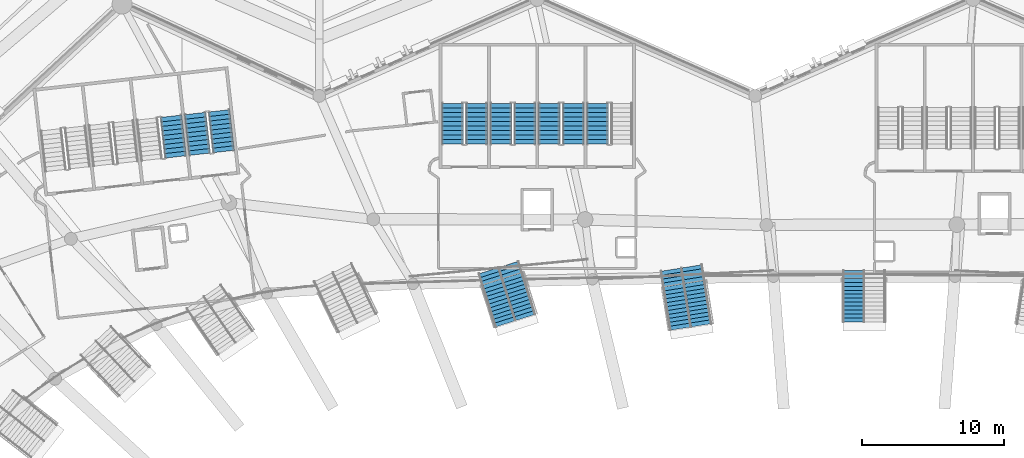
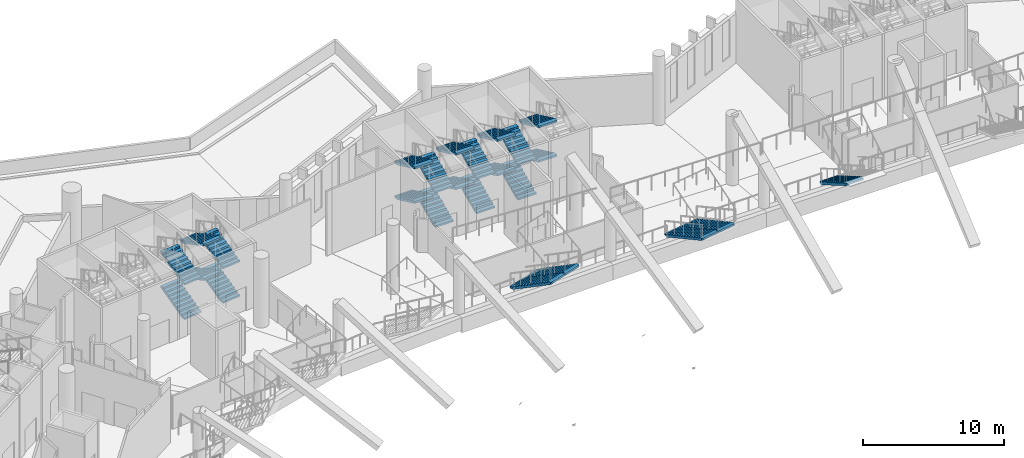
# One storey, part 96 of 173: 25 stair flights, 9 elements without a shape of their own.
"""IFC4 building model written with IfcOpenShell, lengths in metres."""

from ifc_helpers import new_model, si_unit, direction, frame, origin, place, context, subcontext, project, spatial, polyline, outline, extrude, material, type_object, element, aggregate, save


model = new_model("IFC4")

# Units and contexts
model_context = context("Model", 3, precision=1e-05, world=origin(), true_north=direction((0.0, 1.0)))
body_context = subcontext(model_context, "Body", "Model", "MODEL_VIEW")
ifc_project = project(units=[si_unit("LENGTHUNIT", "METRE"), si_unit("AREAUNIT", "SQUARE_METRE"), si_unit("VOLUMEUNIT", "CUBIC_METRE"), si_unit("PLANEANGLEUNIT", "RADIAN"), si_unit("MASSUNIT", "GRAM", prefix="KILO")], contexts=[model_context])

# Site, building, storey
site_placement = place(None, origin())
site = spatial("IfcSite", under=ifc_project, at=site_placement, CompositionType="ELEMENT")
building_placement = place(site_placement, origin())
building = spatial("IfcBuilding", under=site, at=building_placement, Name="Meseta Stadium", CompositionType="ELEMENT")
storey_placement = place(building_placement, frame((0.0, 0.0, 18.0)))
storey = spatial("IfcBuildingStorey", under=building, at=storey_placement, Name="L03", CompositionType="ELEMENT", Elevation=18.0)

# Stair, stair flights
ifc_material_1 = material(Name="Concrete C40/50", Category="concrete")
stair_type_1 = type_object("IfcStairType", Name="Exit stair 4 flights 150 mm risers", PredefinedType="HALF_TURN_STAIR", material=ifc_material_1)
stair_1_placement = place(storey_placement, origin())
stair_1 = element("IfcStair", 1, at=stair_1_placement, inside=storey, type_object=stair_type_1, Name="ST41 L03", PredefinedType="HALF_TURN_STAIR")
ifc_material_2 = material(Name="Concrete C40/50", Category="concrete")
stair_flight_type_1 = type_object("IfcStairFlightType", Name="Exit stair flight 150 mm risers, 4 per storey", PredefinedType="STRAIGHT", material=ifc_material_2)
stair_flight_1_placement = place(storey_placement, frame((-18.75, 98.080078125, 1.5), z_axis=(0.0, 0.0, 1.0), x_axis=(0.0, -1.0, 0.0)))
stair_flight_1 = element("IfcStairFlight", 2, at=stair_flight_1_placement, type_object=stair_flight_type_1, Name="ST41 L03 flight 2", NumberOfRisers=10, NumberOfTreads=9, PredefinedType="STRAIGHT", RiserHeight=0.15, TreadLength=0.32, context=body_context, shape_type="SweptSolid", body=[
    extrude(outline(polyline([(0.0, 0.0), (0.0, 0.14990234375), (0.320068359375, 0.14990234375), (0.320068359375, 0.300048828125), (0.639892578125, 0.300048828125), (0.639892578125, 0.449951171875), (0.9599609375, 0.449951171875), (0.9599609375, 0.60009765625), (1.280029296875, 0.60009765625), (1.280029296875, 0.75), (1.60009765625, 0.75), (1.60009765625, 0.89990234375), (1.919921875, 0.89990234375), (1.919921875, 1.050048828125), (2.239990234375, 1.050048828125), (2.239990234375, 1.199951171875), (2.56005859375, 1.199951171875), (2.56005859375, 1.35009765625), (2.8798828125, 1.35009765625), (2.8798828125, 1.184326171875), (0.353271484375, 0.0), (0.0, 0.0)])), frame((0.0, 0.75, 0.0), z_axis=(0.0, -1.0, 0.0), x_axis=(1.0, 0.0, 0.0)), (0.0, 0.0, 1.0), 1.5),
])
stair_flight_2_placement = place(storey_placement, frame((-18.75, 98.080078125, 4.5), z_axis=(0.0, 0.0, 1.0), x_axis=(0.0, -1.0, 0.0)))
stair_flight_2 = element("IfcStairFlight", 3, at=stair_flight_2_placement, type_object=stair_flight_type_1, Name="ST41 L03 flight 4", NumberOfRisers=10, NumberOfTreads=9, PredefinedType="STRAIGHT", RiserHeight=0.15, TreadLength=0.32, context=body_context, shape_type="SweptSolid", body=[
    extrude(outline(polyline([(0.0, 0.0), (0.0, 0.14990234375), (0.320068359375, 0.14990234375), (0.320068359375, 0.300048828125), (0.639892578125, 0.300048828125), (0.639892578125, 0.449951171875), (0.9599609375, 0.449951171875), (0.9599609375, 0.60009765625), (1.280029296875, 0.60009765625), (1.280029296875, 0.75), (1.60009765625, 0.75), (1.60009765625, 0.89990234375), (1.919921875, 0.89990234375), (1.919921875, 1.050048828125), (2.239990234375, 1.050048828125), (2.239990234375, 1.199951171875), (2.56005859375, 1.199951171875), (2.56005859375, 1.35009765625), (2.8798828125, 1.35009765625), (2.8798828125, 1.184326171875), (0.353271484375, 0.0), (0.0, 0.0)])), frame((0.0, 0.75, 0.0), z_axis=(0.0, -1.0, 0.0), x_axis=(1.0, 0.0, 0.0)), (0.0, 0.0, 1.0), 1.5),
])
aggregate(stair_1, [stair_flight_1, stair_flight_2])

stair_2_placement = place(storey_placement, origin())
stair_2 = element("IfcStair", 4, at=stair_2_placement, inside=storey, type_object=stair_type_1, Name="ST42 L03", PredefinedType="HALF_TURN_STAIR")
stair_flight_3_placement = place(storey_placement, frame((-20.449951171875, 95.199951171875, 0.0), z_axis=(0.0, 0.0, 1.0), x_axis=(0.0, 1.0, 0.0)))
stair_flight_3 = element("IfcStairFlight", 5, at=stair_flight_3_placement, type_object=stair_flight_type_1, Name="ST42 L03 flight 1", NumberOfRisers=10, NumberOfTreads=9, PredefinedType="STRAIGHT", RiserHeight=0.15, TreadLength=0.32, context=body_context, shape_type="SweptSolid", body=[
    extrude(outline(polyline([(0.0, 0.0), (0.0, 0.14990234375), (0.320068359375, 0.14990234375), (0.320068359375, 0.300048828125), (0.639892578125, 0.300048828125), (0.639892578125, 0.449951171875), (0.9599609375, 0.449951171875), (0.9599609375, 0.60009765625), (1.280029296875, 0.60009765625), (1.280029296875, 0.75), (1.60009765625, 0.75), (1.60009765625, 0.89990234375), (1.919921875, 0.89990234375), (1.919921875, 1.050048828125), (2.239990234375, 1.050048828125), (2.239990234375, 1.199951171875), (2.56005859375, 1.199951171875), (2.56005859375, 1.35009765625), (2.8798828125, 1.35009765625), (2.8798828125, 1.184326171875), (0.353271484375, 0.0), (0.0, 0.0)])), frame((0.0, 0.75, 0.0), z_axis=(0.0, -1.0, 0.0), x_axis=(1.0, 0.0, 0.0)), (0.0, 0.0, 1.0), 1.5),
])
stair_flight_4_placement = place(storey_placement, frame((-22.14990234375, 98.080078125, 1.5), z_axis=(0.0, 0.0, 1.0), x_axis=(0.0, -1.0, 0.0)))
stair_flight_4 = element("IfcStairFlight", 6, at=stair_flight_4_placement, type_object=stair_flight_type_1, Name="ST42 L03 flight 2", NumberOfRisers=10, NumberOfTreads=9, PredefinedType="STRAIGHT", RiserHeight=0.15, TreadLength=0.32, context=body_context, shape_type="SweptSolid", body=[
    extrude(outline(polyline([(0.0, 0.0), (0.0, 0.14990234375), (0.320068359375, 0.14990234375), (0.320068359375, 0.300048828125), (0.639892578125, 0.300048828125), (0.639892578125, 0.449951171875), (0.9599609375, 0.449951171875), (0.9599609375, 0.60009765625), (1.280029296875, 0.60009765625), (1.280029296875, 0.75), (1.60009765625, 0.75), (1.60009765625, 0.89990234375), (1.919921875, 0.89990234375), (1.919921875, 1.050048828125), (2.239990234375, 1.050048828125), (2.239990234375, 1.199951171875), (2.56005859375, 1.199951171875), (2.56005859375, 1.35009765625), (2.8798828125, 1.35009765625), (2.8798828125, 1.184326171875), (0.353271484375, 0.0), (0.0, 0.0)])), frame((0.0, 0.75, 0.0), z_axis=(0.0, -1.0, 0.0), x_axis=(1.0, 0.0, 0.0)), (0.0, 0.0, 1.0), 1.5),
])
stair_flight_5_placement = place(storey_placement, frame((-20.449951171875, 95.199951171875, 3.0), z_axis=(0.0, 0.0, 1.0), x_axis=(0.0, 1.0, 0.0)))
stair_flight_5 = element("IfcStairFlight", 7, at=stair_flight_5_placement, type_object=stair_flight_type_1, Name="ST42 L03 flight 3", NumberOfRisers=10, NumberOfTreads=9, PredefinedType="STRAIGHT", RiserHeight=0.15, TreadLength=0.32, context=body_context, shape_type="SweptSolid", body=[
    extrude(outline(polyline([(0.0, 0.0), (0.0, 0.14990234375), (0.320068359375, 0.14990234375), (0.320068359375, 0.300048828125), (0.639892578125, 0.300048828125), (0.639892578125, 0.449951171875), (0.9599609375, 0.449951171875), (0.9599609375, 0.60009765625), (1.280029296875, 0.60009765625), (1.280029296875, 0.75), (1.60009765625, 0.75), (1.60009765625, 0.89990234375), (1.919921875, 0.89990234375), (1.919921875, 1.050048828125), (2.239990234375, 1.050048828125), (2.239990234375, 1.199951171875), (2.56005859375, 1.199951171875), (2.56005859375, 1.35009765625), (2.8798828125, 1.35009765625), (2.8798828125, 1.184326171875), (0.353271484375, 0.0), (0.0, 0.0)])), frame((0.0, 0.75, 0.0), z_axis=(0.0, -1.0, 0.0), x_axis=(1.0, 0.0, 0.0)), (0.0, 0.0, 1.0), 1.5),
])
stair_flight_6_placement = place(storey_placement, frame((-22.14990234375, 98.080078125, 4.5), z_axis=(0.0, 0.0, 1.0), x_axis=(0.0, -1.0, 0.0)))
stair_flight_6 = element("IfcStairFlight", 8, at=stair_flight_6_placement, type_object=stair_flight_type_1, Name="ST42 L03 flight 4", NumberOfRisers=10, NumberOfTreads=9, PredefinedType="STRAIGHT", RiserHeight=0.15, TreadLength=0.32, context=body_context, shape_type="SweptSolid", body=[
    extrude(outline(polyline([(0.0, 0.0), (0.0, 0.14990234375), (0.320068359375, 0.14990234375), (0.320068359375, 0.300048828125), (0.639892578125, 0.300048828125), (0.639892578125, 0.449951171875), (0.9599609375, 0.449951171875), (0.9599609375, 0.60009765625), (1.280029296875, 0.60009765625), (1.280029296875, 0.75), (1.60009765625, 0.75), (1.60009765625, 0.89990234375), (1.919921875, 0.89990234375), (1.919921875, 1.050048828125), (2.239990234375, 1.050048828125), (2.239990234375, 1.199951171875), (2.56005859375, 1.199951171875), (2.56005859375, 1.35009765625), (2.8798828125, 1.35009765625), (2.8798828125, 1.184326171875), (0.353271484375, 0.0), (0.0, 0.0)])), frame((0.0, 0.75, 0.0), z_axis=(0.0, -1.0, 0.0), x_axis=(1.0, 0.0, 0.0)), (0.0, 0.0, 1.0), 1.5),
])
aggregate(stair_2, [stair_flight_3, stair_flight_4, stair_flight_5, stair_flight_6])

stair_3_placement = place(storey_placement, origin())
stair_3 = element("IfcStair", 9, at=stair_3_placement, inside=storey, type_object=stair_type_1, Name="ST43 L03", PredefinedType="HALF_TURN_STAIR")
stair_flight_7_placement = place(storey_placement, frame((-23.85009765625, 95.199951171875, 0.0), z_axis=(0.0, 0.0, 1.0), x_axis=(0.0, 1.0, 0.0)))
stair_flight_7 = element("IfcStairFlight", 10, at=stair_flight_7_placement, type_object=stair_flight_type_1, Name="ST43 L03 flight 1", NumberOfRisers=10, NumberOfTreads=9, PredefinedType="STRAIGHT", RiserHeight=0.15, TreadLength=0.32, context=body_context, shape_type="SweptSolid", body=[
    extrude(outline(polyline([(0.0, 0.0), (0.0, 0.14990234375), (0.320068359375, 0.14990234375), (0.320068359375, 0.300048828125), (0.639892578125, 0.300048828125), (0.639892578125, 0.449951171875), (0.9599609375, 0.449951171875), (0.9599609375, 0.60009765625), (1.280029296875, 0.60009765625), (1.280029296875, 0.75), (1.60009765625, 0.75), (1.60009765625, 0.89990234375), (1.919921875, 0.89990234375), (1.919921875, 1.050048828125), (2.239990234375, 1.050048828125), (2.239990234375, 1.199951171875), (2.56005859375, 1.199951171875), (2.56005859375, 1.35009765625), (2.8798828125, 1.35009765625), (2.8798828125, 1.184326171875), (0.353271484375, 0.0), (0.0, 0.0)])), frame((0.0, 0.75, 0.0), z_axis=(0.0, -1.0, 0.0), x_axis=(1.0, 0.0, 0.0)), (0.0, 0.0, 1.0), 1.5),
])
stair_flight_8_placement = place(storey_placement, frame((-25.550048828125, 98.080078125, 1.5), z_axis=(0.0, 0.0, 1.0), x_axis=(0.0, -1.0, 0.0)))
stair_flight_8 = element("IfcStairFlight", 11, at=stair_flight_8_placement, type_object=stair_flight_type_1, Name="ST43 L03 flight 2", NumberOfRisers=10, NumberOfTreads=9, PredefinedType="STRAIGHT", RiserHeight=0.15, TreadLength=0.32, context=body_context, shape_type="SweptSolid", body=[
    extrude(outline(polyline([(0.0, 0.0), (0.0, 0.14990234375), (0.320068359375, 0.14990234375), (0.320068359375, 0.300048828125), (0.639892578125, 0.300048828125), (0.639892578125, 0.449951171875), (0.9599609375, 0.449951171875), (0.9599609375, 0.60009765625), (1.280029296875, 0.60009765625), (1.280029296875, 0.75), (1.60009765625, 0.75), (1.60009765625, 0.89990234375), (1.919921875, 0.89990234375), (1.919921875, 1.050048828125), (2.239990234375, 1.050048828125), (2.239990234375, 1.199951171875), (2.56005859375, 1.199951171875), (2.56005859375, 1.35009765625), (2.8798828125, 1.35009765625), (2.8798828125, 1.184326171875), (0.353271484375, 0.0), (0.0, 0.0)])), frame((0.0, 0.75, 0.0), z_axis=(0.0, -1.0, 0.0), x_axis=(1.0, 0.0, 0.0)), (0.0, 0.0, 1.0), 1.5),
])
stair_flight_9_placement = place(storey_placement, frame((-23.85009765625, 95.199951171875, 3.0), z_axis=(0.0, 0.0, 1.0), x_axis=(0.0, 1.0, 0.0)))
stair_flight_9 = element("IfcStairFlight", 12, at=stair_flight_9_placement, type_object=stair_flight_type_1, Name="ST43 L03 flight 3", NumberOfRisers=10, NumberOfTreads=9, PredefinedType="STRAIGHT", RiserHeight=0.15, TreadLength=0.32, context=body_context, shape_type="SweptSolid", body=[
    extrude(outline(polyline([(0.0, 0.0), (0.0, 0.14990234375), (0.320068359375, 0.14990234375), (0.320068359375, 0.300048828125), (0.639892578125, 0.300048828125), (0.639892578125, 0.449951171875), (0.9599609375, 0.449951171875), (0.9599609375, 0.60009765625), (1.280029296875, 0.60009765625), (1.280029296875, 0.75), (1.60009765625, 0.75), (1.60009765625, 0.89990234375), (1.919921875, 0.89990234375), (1.919921875, 1.050048828125), (2.239990234375, 1.050048828125), (2.239990234375, 1.199951171875), (2.56005859375, 1.199951171875), (2.56005859375, 1.35009765625), (2.8798828125, 1.35009765625), (2.8798828125, 1.184326171875), (0.353271484375, 0.0), (0.0, 0.0)])), frame((0.0, 0.75, 0.0), z_axis=(0.0, -1.0, 0.0), x_axis=(1.0, 0.0, 0.0)), (0.0, 0.0, 1.0), 1.5),
])
stair_flight_10_placement = place(storey_placement, frame((-25.550048828125, 98.080078125, 4.5), z_axis=(0.0, 0.0, 1.0), x_axis=(0.0, -1.0, 0.0)))
stair_flight_10 = element("IfcStairFlight", 13, at=stair_flight_10_placement, type_object=stair_flight_type_1, Name="ST43 L03 flight 4", NumberOfRisers=10, NumberOfTreads=9, PredefinedType="STRAIGHT", RiserHeight=0.15, TreadLength=0.32, context=body_context, shape_type="SweptSolid", body=[
    extrude(outline(polyline([(0.0, 0.0), (0.0, 0.14990234375), (0.320068359375, 0.14990234375), (0.320068359375, 0.300048828125), (0.639892578125, 0.300048828125), (0.639892578125, 0.449951171875), (0.9599609375, 0.449951171875), (0.9599609375, 0.60009765625), (1.280029296875, 0.60009765625), (1.280029296875, 0.75), (1.60009765625, 0.75), (1.60009765625, 0.89990234375), (1.919921875, 0.89990234375), (1.919921875, 1.050048828125), (2.239990234375, 1.050048828125), (2.239990234375, 1.199951171875), (2.56005859375, 1.199951171875), (2.56005859375, 1.35009765625), (2.8798828125, 1.35009765625), (2.8798828125, 1.184326171875), (0.353271484375, 0.0), (0.0, 0.0)])), frame((0.0, 0.75, 0.0), z_axis=(0.0, -1.0, 0.0), x_axis=(1.0, 0.0, 0.0)), (0.0, 0.0, 1.0), 1.5),
])
aggregate(stair_3, [stair_flight_7, stair_flight_8, stair_flight_9, stair_flight_10])

stair_4_placement = place(storey_placement, origin())
stair_4 = element("IfcStair", 14, at=stair_4_placement, inside=storey, type_object=stair_type_1, Name="ST44 L03", PredefinedType="HALF_TURN_STAIR")
stair_flight_11_placement = place(storey_placement, frame((-27.25, 95.199951171875, 0.0), z_axis=(0.0, 0.0, 1.0), x_axis=(0.0, 1.0, 0.0)))
stair_flight_11 = element("IfcStairFlight", 15, at=stair_flight_11_placement, type_object=stair_flight_type_1, Name="ST44 L03 flight 1", NumberOfRisers=10, NumberOfTreads=9, PredefinedType="STRAIGHT", RiserHeight=0.15, TreadLength=0.32, context=body_context, shape_type="SweptSolid", body=[
    extrude(outline(polyline([(0.0, 0.0), (0.0, 0.14990234375), (0.320068359375, 0.14990234375), (0.320068359375, 0.300048828125), (0.639892578125, 0.300048828125), (0.639892578125, 0.449951171875), (0.9599609375, 0.449951171875), (0.9599609375, 0.60009765625), (1.280029296875, 0.60009765625), (1.280029296875, 0.75), (1.60009765625, 0.75), (1.60009765625, 0.89990234375), (1.919921875, 0.89990234375), (1.919921875, 1.050048828125), (2.239990234375, 1.050048828125), (2.239990234375, 1.199951171875), (2.56005859375, 1.199951171875), (2.56005859375, 1.35009765625), (2.8798828125, 1.35009765625), (2.8798828125, 1.184326171875), (0.353271484375, 0.0), (0.0, 0.0)])), frame((0.0, 0.75, 0.0), z_axis=(0.0, -1.0, 0.0), x_axis=(1.0, 0.0, 0.0)), (0.0, 0.0, 1.0), 1.5),
])
stair_flight_12_placement = place(storey_placement, frame((-28.949951171875, 98.080078125, 1.5), z_axis=(0.0, 0.0, 1.0), x_axis=(0.0, -1.0, 0.0)))
stair_flight_12 = element("IfcStairFlight", 16, at=stair_flight_12_placement, type_object=stair_flight_type_1, Name="ST44 L03 flight 2", NumberOfRisers=10, NumberOfTreads=9, PredefinedType="STRAIGHT", RiserHeight=0.15, TreadLength=0.32, context=body_context, shape_type="SweptSolid", body=[
    extrude(outline(polyline([(0.0, 0.0), (0.0, 0.14990234375), (0.320068359375, 0.14990234375), (0.320068359375, 0.300048828125), (0.639892578125, 0.300048828125), (0.639892578125, 0.449951171875), (0.9599609375, 0.449951171875), (0.9599609375, 0.60009765625), (1.280029296875, 0.60009765625), (1.280029296875, 0.75), (1.60009765625, 0.75), (1.60009765625, 0.89990234375), (1.919921875, 0.89990234375), (1.919921875, 1.050048828125), (2.239990234375, 1.050048828125), (2.239990234375, 1.199951171875), (2.56005859375, 1.199951171875), (2.56005859375, 1.35009765625), (2.8798828125, 1.35009765625), (2.8798828125, 1.184326171875), (0.353271484375, 0.0), (0.0, 0.0)])), frame((0.0, 0.75, 0.0), z_axis=(0.0, -1.0, 0.0), x_axis=(1.0, 0.0, 0.0)), (0.0, 0.0, 1.0), 1.5),
])
stair_flight_13_placement = place(storey_placement, frame((-27.25, 95.199951171875, 3.0), z_axis=(0.0, 0.0, 1.0), x_axis=(0.0, 1.0, 0.0)))
stair_flight_13 = element("IfcStairFlight", 17, at=stair_flight_13_placement, type_object=stair_flight_type_1, Name="ST44 L03 flight 3", NumberOfRisers=10, NumberOfTreads=9, PredefinedType="STRAIGHT", RiserHeight=0.15, TreadLength=0.32, context=body_context, shape_type="SweptSolid", body=[
    extrude(outline(polyline([(0.0, 0.0), (0.0, 0.14990234375), (0.320068359375, 0.14990234375), (0.320068359375, 0.300048828125), (0.639892578125, 0.300048828125), (0.639892578125, 0.449951171875), (0.9599609375, 0.449951171875), (0.9599609375, 0.60009765625), (1.280029296875, 0.60009765625), (1.280029296875, 0.75), (1.60009765625, 0.75), (1.60009765625, 0.89990234375), (1.919921875, 0.89990234375), (1.919921875, 1.050048828125), (2.239990234375, 1.050048828125), (2.239990234375, 1.199951171875), (2.56005859375, 1.199951171875), (2.56005859375, 1.35009765625), (2.8798828125, 1.35009765625), (2.8798828125, 1.184326171875), (0.353271484375, 0.0), (0.0, 0.0)])), frame((0.0, 0.75, 0.0), z_axis=(0.0, -1.0, 0.0), x_axis=(1.0, 0.0, 0.0)), (0.0, 0.0, 1.0), 1.5),
])
stair_flight_14_placement = place(storey_placement, frame((-28.949951171875, 98.080078125, 4.5), z_axis=(0.0, 0.0, 1.0), x_axis=(0.0, -1.0, 0.0)))
stair_flight_14 = element("IfcStairFlight", 18, at=stair_flight_14_placement, type_object=stair_flight_type_1, Name="ST44 L03 flight 4", NumberOfRisers=10, NumberOfTreads=9, PredefinedType="STRAIGHT", RiserHeight=0.15, TreadLength=0.32, context=body_context, shape_type="SweptSolid", body=[
    extrude(outline(polyline([(0.0, 0.0), (0.0, 0.14990234375), (0.320068359375, 0.14990234375), (0.320068359375, 0.300048828125), (0.639892578125, 0.300048828125), (0.639892578125, 0.449951171875), (0.9599609375, 0.449951171875), (0.9599609375, 0.60009765625), (1.280029296875, 0.60009765625), (1.280029296875, 0.75), (1.60009765625, 0.75), (1.60009765625, 0.89990234375), (1.919921875, 0.89990234375), (1.919921875, 1.050048828125), (2.239990234375, 1.050048828125), (2.239990234375, 1.199951171875), (2.56005859375, 1.199951171875), (2.56005859375, 1.35009765625), (2.8798828125, 1.35009765625), (2.8798828125, 1.184326171875), (0.353271484375, 0.0), (0.0, 0.0)])), frame((0.0, 0.75, 0.0), z_axis=(0.0, -1.0, 0.0), x_axis=(1.0, 0.0, 0.0)), (0.0, 0.0, 1.0), 1.5),
])
aggregate(stair_4, [stair_flight_11, stair_flight_12, stair_flight_13, stair_flight_14])

stair_5_placement = place(storey_placement, origin())
stair_5 = element("IfcStair", 19, at=stair_5_placement, inside=storey, type_object=stair_type_1, Name="ST45 L03", PredefinedType="HALF_TURN_STAIR")
stair_flight_15_placement = place(storey_placement, frame((-45.04736328125, 94.687744140625, 0.0), z_axis=(0.0, 0.0, 1.0), x_axis=(-0.11196446867, 0.993712210731, 0.0)))
stair_flight_15 = element("IfcStairFlight", 20, at=stair_flight_15_placement, type_object=stair_flight_type_1, Name="ST45 L03 flight 1", NumberOfRisers=10, NumberOfTreads=9, PredefinedType="STRAIGHT", RiserHeight=0.15, TreadLength=0.32, context=body_context, shape_type="SweptSolid", body=[
    extrude(outline(polyline([(0.0, 0.0), (0.0, 0.14990234375), (0.320068359375, 0.14990234375), (0.320068359375, 0.300048828125), (0.639892578125, 0.300048828125), (0.639892578125, 0.449951171875), (0.9599609375, 0.449951171875), (0.9599609375, 0.60009765625), (1.280029296875, 0.60009765625), (1.280029296875, 0.75), (1.60009765625, 0.75), (1.60009765625, 0.89990234375), (1.919921875, 0.89990234375), (1.919921875, 1.050048828125), (2.239990234375, 1.050048828125), (2.239990234375, 1.199951171875), (2.56005859375, 1.199951171875), (2.56005859375, 1.35009765625), (2.8798828125, 1.35009765625), (2.8798828125, 1.184326171875), (0.353271484375, 0.0), (0.0, 0.0)])), frame((0.0, 0.75, 0.0), z_axis=(0.0, -1.0, 0.0), x_axis=(1.0, 0.0, 0.0)), (0.0, 0.0, 1.0), 1.5),
])
stair_flight_16_placement = place(storey_placement, frame((-47.059326171875, 97.359130859375, 1.5), z_axis=(0.0, 0.0, 1.0), x_axis=(0.11196446867, -0.993712210731, 0.0)))
stair_flight_16 = element("IfcStairFlight", 21, at=stair_flight_16_placement, type_object=stair_flight_type_1, Name="ST45 L03 flight 2", NumberOfRisers=10, NumberOfTreads=9, PredefinedType="STRAIGHT", RiserHeight=0.15, TreadLength=0.32, context=body_context, shape_type="SweptSolid", body=[
    extrude(outline(polyline([(0.0, 0.0), (0.0, 0.14990234375), (0.320068359375, 0.14990234375), (0.320068359375, 0.300048828125), (0.639892578125, 0.300048828125), (0.639892578125, 0.449951171875), (0.9599609375, 0.449951171875), (0.9599609375, 0.60009765625), (1.280029296875, 0.60009765625), (1.280029296875, 0.75), (1.60009765625, 0.75), (1.60009765625, 0.89990234375), (1.919921875, 0.89990234375), (1.919921875, 1.050048828125), (2.239990234375, 1.050048828125), (2.239990234375, 1.199951171875), (2.56005859375, 1.199951171875), (2.56005859375, 1.35009765625), (2.8798828125, 1.35009765625), (2.8798828125, 1.184326171875), (0.353271484375, 0.0), (0.0, 0.0)])), frame((0.0, 0.75, 0.0), z_axis=(0.0, -1.0, 0.0), x_axis=(1.0, 0.0, 0.0)), (0.0, 0.0, 1.0), 1.5),
])
stair_flight_17_placement = place(storey_placement, frame((-45.04736328125, 94.687744140625, 3.0), z_axis=(0.0, 0.0, 1.0), x_axis=(-0.11196446867, 0.993712210731, 0.0)))
stair_flight_17 = element("IfcStairFlight", 22, at=stair_flight_17_placement, type_object=stair_flight_type_1, Name="ST45 L03 flight 3", NumberOfRisers=10, NumberOfTreads=9, PredefinedType="STRAIGHT", RiserHeight=0.15, TreadLength=0.32, context=body_context, shape_type="SweptSolid", body=[
    extrude(outline(polyline([(0.0, 0.0), (0.0, 0.14990234375), (0.320068359375, 0.14990234375), (0.320068359375, 0.300048828125), (0.639892578125, 0.300048828125), (0.639892578125, 0.449951171875), (0.9599609375, 0.449951171875), (0.9599609375, 0.60009765625), (1.280029296875, 0.60009765625), (1.280029296875, 0.75), (1.60009765625, 0.75), (1.60009765625, 0.89990234375), (1.919921875, 0.89990234375), (1.919921875, 1.050048828125), (2.239990234375, 1.050048828125), (2.239990234375, 1.199951171875), (2.56005859375, 1.199951171875), (2.56005859375, 1.35009765625), (2.8798828125, 1.35009765625), (2.8798828125, 1.184326171875), (0.353271484375, 0.0), (0.0, 0.0)])), frame((0.0, 0.75, 0.0), z_axis=(0.0, -1.0, 0.0), x_axis=(1.0, 0.0, 0.0)), (0.0, 0.0, 1.0), 1.5),
])
stair_flight_18_placement = place(storey_placement, frame((-47.059326171875, 97.359130859375, 4.5), z_axis=(0.0, 0.0, 1.0), x_axis=(0.11196446867, -0.993712210731, 0.0)))
stair_flight_18 = element("IfcStairFlight", 23, at=stair_flight_18_placement, type_object=stair_flight_type_1, Name="ST45 L03 flight 4", NumberOfRisers=10, NumberOfTreads=9, PredefinedType="STRAIGHT", RiserHeight=0.15, TreadLength=0.32, context=body_context, shape_type="SweptSolid", body=[
    extrude(outline(polyline([(0.0, 0.0), (0.0, 0.14990234375), (0.320068359375, 0.14990234375), (0.320068359375, 0.300048828125), (0.639892578125, 0.300048828125), (0.639892578125, 0.449951171875), (0.9599609375, 0.449951171875), (0.9599609375, 0.60009765625), (1.280029296875, 0.60009765625), (1.280029296875, 0.75), (1.60009765625, 0.75), (1.60009765625, 0.89990234375), (1.919921875, 0.89990234375), (1.919921875, 1.050048828125), (2.239990234375, 1.050048828125), (2.239990234375, 1.199951171875), (2.56005859375, 1.199951171875), (2.56005859375, 1.35009765625), (2.8798828125, 1.35009765625), (2.8798828125, 1.184326171875), (0.353271484375, 0.0), (0.0, 0.0)])), frame((0.0, 0.75, 0.0), z_axis=(0.0, -1.0, 0.0), x_axis=(1.0, 0.0, 0.0)), (0.0, 0.0, 1.0), 1.5),
])
aggregate(stair_5, [stair_flight_15, stair_flight_16, stair_flight_17, stair_flight_18])

stair_6_placement = place(storey_placement, origin())
stair_6 = element("IfcStair", 24, at=stair_6_placement, inside=storey, type_object=stair_type_1, Name="ST46 L03", PredefinedType="HALF_TURN_STAIR")
stair_flight_19_placement = place(storey_placement, frame((-48.426025390625, 94.306884765625, 0.0), z_axis=(0.0, 0.0, 1.0), x_axis=(-0.11196446867, 0.993712210731, 0.0)))
stair_flight_19 = element("IfcStairFlight", 25, at=stair_flight_19_placement, type_object=stair_flight_type_1, Name="ST46 L03 flight 1", NumberOfRisers=10, NumberOfTreads=9, PredefinedType="STRAIGHT", RiserHeight=0.15, TreadLength=0.32, context=body_context, shape_type="SweptSolid", body=[
    extrude(outline(polyline([(0.0, 0.0), (0.0, 0.14990234375), (0.320068359375, 0.14990234375), (0.320068359375, 0.300048828125), (0.639892578125, 0.300048828125), (0.639892578125, 0.449951171875), (0.9599609375, 0.449951171875), (0.9599609375, 0.60009765625), (1.280029296875, 0.60009765625), (1.280029296875, 0.75), (1.60009765625, 0.75), (1.60009765625, 0.89990234375), (1.919921875, 0.89990234375), (1.919921875, 1.050048828125), (2.239990234375, 1.050048828125), (2.239990234375, 1.199951171875), (2.56005859375, 1.199951171875), (2.56005859375, 1.35009765625), (2.8798828125, 1.35009765625), (2.8798828125, 1.184326171875), (0.353271484375, 0.0), (0.0, 0.0)])), frame((0.0, 0.75, 0.0), z_axis=(0.0, -1.0, 0.0), x_axis=(1.0, 0.0, 0.0)), (0.0, 0.0, 1.0), 1.5),
])
stair_flight_20_placement = place(storey_placement, frame((-48.426025390625, 94.306884765625, 3.0), z_axis=(0.0, 0.0, 1.0), x_axis=(-0.11196446867, 0.993712210731, 0.0)))
stair_flight_20 = element("IfcStairFlight", 26, at=stair_flight_20_placement, type_object=stair_flight_type_1, Name="ST46 L03 flight 3", NumberOfRisers=10, NumberOfTreads=9, PredefinedType="STRAIGHT", RiserHeight=0.15, TreadLength=0.32, context=body_context, shape_type="SweptSolid", body=[
    extrude(outline(polyline([(0.0, 0.0), (0.0, 0.14990234375), (0.320068359375, 0.14990234375), (0.320068359375, 0.300048828125), (0.639892578125, 0.300048828125), (0.639892578125, 0.449951171875), (0.9599609375, 0.449951171875), (0.9599609375, 0.60009765625), (1.280029296875, 0.60009765625), (1.280029296875, 0.75), (1.60009765625, 0.75), (1.60009765625, 0.89990234375), (1.919921875, 0.89990234375), (1.919921875, 1.050048828125), (2.239990234375, 1.050048828125), (2.239990234375, 1.199951171875), (2.56005859375, 1.199951171875), (2.56005859375, 1.35009765625), (2.8798828125, 1.35009765625), (2.8798828125, 1.184326171875), (0.353271484375, 0.0), (0.0, 0.0)])), frame((0.0, 0.75, 0.0), z_axis=(0.0, -1.0, 0.0), x_axis=(1.0, 0.0, 0.0)), (0.0, 0.0, 1.0), 1.5),
])
aggregate(stair_6, [stair_flight_19, stair_flight_20])

# Stair, stair flight
ifc_material_3 = material(Name="Concrete C40/50", Category="concrete")
stair_type_2 = type_object("IfcStairType", Name="Vomitory stair 3000", PredefinedType="STRAIGHT_RUN_STAIR", material=ifc_material_3)
stair_7_placement = place(storey_placement, origin())
stair_7 = element("IfcStair", 27, at=stair_7_placement, inside=storey, type_object=stair_type_2, Name="Vomitory V-upper-19", PredefinedType="STRAIGHT_RUN_STAIR")
ifc_material_4 = material(Name="Concrete C40/50", Category="concrete")
stair_flight_type_2 = type_object("IfcStairFlightType", Name="Vomitory stair flight 1450", PredefinedType="STRAIGHT", material=ifc_material_4)
stair_flight_21_placement = place(storey_placement, frame((-0.77490234375, 86.326904296875, 0.0), z_axis=(0.0, 0.0, 1.0), x_axis=(0.0, -1.0, 0.0)))
stair_flight_21 = element("IfcStairFlight", 28, at=stair_flight_21_placement, type_object=stair_flight_type_2, Name="Vomitory V-upper-19 flight 2", NumberOfRisers=14, NumberOfTreads=13, PredefinedType="STRAIGHT", RiserHeight=0.163093, TreadLength=0.28, context=body_context, shape_type="SweptSolid", body=[
    extrude(outline(polyline([(0.0, 0.0), (0.0, 0.1630859375), (0.280029296875, 0.1630859375), (0.280029296875, 0.326171875), (0.56005859375, 0.326171875), (0.56005859375, 0.4892578125), (0.840087890625, 0.4892578125), (0.840087890625, 0.65234375), (1.1201171875, 0.65234375), (1.1201171875, 0.8154296875), (1.39990234375, 0.8154296875), (1.39990234375, 0.978515625), (1.679931640625, 0.978515625), (1.679931640625, 1.1416015625), (1.9599609375, 1.1416015625), (1.9599609375, 1.3046875), (2.239990234375, 1.3046875), (2.239990234375, 1.4677734375), (2.52001953125, 1.4677734375), (2.52001953125, 1.630859375), (2.800048828125, 1.630859375), (2.800048828125, 1.7939453125), (3.080078125, 1.7939453125), (3.080078125, 1.95703125), (3.360107421875, 1.95703125), (3.360107421875, 2.1201171875), (3.639892578125, 2.1201171875), (3.639892578125, 1.94677734375), (0.2978515625, 0.0), (0.0, 0.0)])), frame((0.0, 0.72509765625, 0.0), z_axis=(0.0, -1.0, 0.0), x_axis=(1.0, 0.0, 0.0)), (0.0, 0.0, 1.0), 1.449951171875),
])
aggregate(stair_7, [stair_flight_21])

# Stair, stair flights
stair_8_placement = place(storey_placement, origin())
stair_8 = element("IfcStair", 29, at=stair_8_placement, inside=storey, type_object=stair_type_2, Name="Vomitory V-upper-20", PredefinedType="STRAIGHT_RUN_STAIR")
stair_flight_22_placement = place(storey_placement, frame((-12.084716796875, 86.61279296875, 0.0), z_axis=(0.0, 0.0, 1.0), x_axis=(0.15676715754, -0.987635589839, 0.0)))
stair_flight_22 = element("IfcStairFlight", 30, at=stair_flight_22_placement, type_object=stair_flight_type_2, Name="Vomitory V-upper-20 flight 1", NumberOfRisers=16, NumberOfTreads=15, PredefinedType="STRAIGHT", RiserHeight=0.13111, TreadLength=0.28, context=body_context, shape_type="SweptSolid", body=[
    extrude(outline(polyline([(0.0, 0.0), (0.0, 0.131103515625), (0.280029296875, 0.131103515625), (0.280029296875, 0.26220703125), (0.56005859375, 0.26220703125), (0.56005859375, 0.393310546875), (0.840087890625, 0.393310546875), (0.840087890625, 0.5244140625), (1.1201171875, 0.5244140625), (1.1201171875, 0.655517578125), (1.39990234375, 0.655517578125), (1.39990234375, 0.78662109375), (1.679931640625, 0.78662109375), (1.679931640625, 0.917724609375), (1.9599609375, 0.917724609375), (1.9599609375, 1.048828125), (2.239990234375, 1.048828125), (2.239990234375, 1.179931640625), (2.52001953125, 1.179931640625), (2.52001953125, 1.31103515625), (2.800048828125, 1.31103515625), (2.800048828125, 1.442138671875), (3.080078125, 1.442138671875), (3.080078125, 1.5732421875), (3.360107421875, 1.5732421875), (3.360107421875, 1.704345703125), (3.639892578125, 1.704345703125), (3.639892578125, 1.83544921875), (3.919921875, 1.83544921875), (3.919921875, 1.966552734375), (4.199951171875, 1.966552734375), (4.199951171875, 1.801025390625), (0.353515625, 0.0), (0.0, 0.0)])), frame((0.0, 0.72509765625, 0.0), z_axis=(0.0, -1.0, 0.0), x_axis=(1.0, 0.0, 0.0)), (0.0, 0.0, 1.0), 1.449951171875),
])
stair_flight_23_placement = place(storey_placement, frame((-13.615478515625, 86.369873046875, 0.0), z_axis=(0.0, 0.0, 1.0), x_axis=(0.15676715754, -0.987635589839, 0.0)))
stair_flight_23 = element("IfcStairFlight", 31, at=stair_flight_23_placement, type_object=stair_flight_type_2, Name="Vomitory V-upper-20 flight 2", NumberOfRisers=16, NumberOfTreads=15, PredefinedType="STRAIGHT", RiserHeight=0.13111, TreadLength=0.28, context=body_context, shape_type="SweptSolid", body=[
    extrude(outline(polyline([(0.0, 0.0), (0.0, 0.131103515625), (0.280029296875, 0.131103515625), (0.280029296875, 0.26220703125), (0.56005859375, 0.26220703125), (0.56005859375, 0.393310546875), (0.840087890625, 0.393310546875), (0.840087890625, 0.5244140625), (1.1201171875, 0.5244140625), (1.1201171875, 0.655517578125), (1.39990234375, 0.655517578125), (1.39990234375, 0.78662109375), (1.679931640625, 0.78662109375), (1.679931640625, 0.917724609375), (1.9599609375, 0.917724609375), (1.9599609375, 1.048828125), (2.239990234375, 1.048828125), (2.239990234375, 1.179931640625), (2.52001953125, 1.179931640625), (2.52001953125, 1.31103515625), (2.800048828125, 1.31103515625), (2.800048828125, 1.442138671875), (3.080078125, 1.442138671875), (3.080078125, 1.5732421875), (3.360107421875, 1.5732421875), (3.360107421875, 1.704345703125), (3.639892578125, 1.704345703125), (3.639892578125, 1.83544921875), (3.919921875, 1.83544921875), (3.919921875, 1.966552734375), (4.199951171875, 1.966552734375), (4.199951171875, 1.801025390625), (0.353515625, 0.0), (0.0, 0.0)])), frame((0.0, 0.72509765625, 0.0), z_axis=(0.0, -1.0, 0.0), x_axis=(1.0, 0.0, 0.0)), (0.0, 0.0, 1.0), 1.449951171875),
])
aggregate(stair_8, [stair_flight_22, stair_flight_23])

stair_9_placement = place(storey_placement, origin())
stair_9 = element("IfcStair", 32, at=stair_9_placement, inside=storey, type_object=stair_type_2, Name="Vomitory V-upper-21", PredefinedType="STRAIGHT_RUN_STAIR")
stair_flight_24_placement = place(storey_placement, frame((-24.97412109375, 86.759521484375, 0.0), z_axis=(0.0, 0.0, 1.0), x_axis=(0.302579501013, -0.953124150133, 0.0)))
stair_flight_24 = element("IfcStairFlight", 33, at=stair_flight_24_placement, type_object=stair_flight_type_2, Name="Vomitory V-upper-21 flight 1", NumberOfRisers=15, NumberOfTreads=14, PredefinedType="STRAIGHT", RiserHeight=0.165024, TreadLength=0.28, context=body_context, shape_type="SweptSolid", body=[
    extrude(outline(polyline([(0.0, 0.0), (0.0, 0.1650390625), (0.280029296875, 0.1650390625), (0.280029296875, 0.330078125), (0.56005859375, 0.330078125), (0.56005859375, 0.4951171875), (0.840087890625, 0.4951171875), (0.840087890625, 0.66015625), (1.1201171875, 0.66015625), (1.1201171875, 0.8251953125), (1.39990234375, 0.8251953125), (1.39990234375, 0.990234375), (1.679931640625, 0.990234375), (1.679931640625, 1.1552734375), (1.9599609375, 1.1552734375), (1.9599609375, 1.3203125), (2.239990234375, 1.3203125), (2.239990234375, 1.485107421875), (2.52001953125, 1.485107421875), (2.52001953125, 1.650146484375), (2.800048828125, 1.650146484375), (2.800048828125, 1.815185546875), (3.080078125, 1.815185546875), (3.080078125, 1.980224609375), (3.360107421875, 1.980224609375), (3.360107421875, 2.145263671875), (3.639892578125, 2.145263671875), (3.639892578125, 2.310302734375), (3.919921875, 2.310302734375), (3.919921875, 2.13623046875), (0.295166015625, 0.0), (0.0, 0.0)])), frame((0.0, 0.72509765625, 0.0), z_axis=(0.0, -1.0, 0.0), x_axis=(1.0, 0.0, 0.0)), (0.0, 0.0, 1.0), 1.449951171875),
])
stair_flight_25_placement = place(storey_placement, frame((-26.451416015625, 86.29052734375, 0.0), z_axis=(0.0, 0.0, 1.0), x_axis=(0.302579501013, -0.953124150133, 0.0)))
stair_flight_25 = element("IfcStairFlight", 34, at=stair_flight_25_placement, type_object=stair_flight_type_2, Name="Vomitory V-upper-21 flight 2", NumberOfRisers=15, NumberOfTreads=14, PredefinedType="STRAIGHT", RiserHeight=0.165024, TreadLength=0.28, context=body_context, shape_type="SweptSolid", body=[
    extrude(outline(polyline([(0.0, 0.0), (0.0, 0.1650390625), (0.280029296875, 0.1650390625), (0.280029296875, 0.330078125), (0.56005859375, 0.330078125), (0.56005859375, 0.4951171875), (0.840087890625, 0.4951171875), (0.840087890625, 0.66015625), (1.1201171875, 0.66015625), (1.1201171875, 0.8251953125), (1.39990234375, 0.8251953125), (1.39990234375, 0.990234375), (1.679931640625, 0.990234375), (1.679931640625, 1.1552734375), (1.9599609375, 1.1552734375), (1.9599609375, 1.3203125), (2.239990234375, 1.3203125), (2.239990234375, 1.485107421875), (2.52001953125, 1.485107421875), (2.52001953125, 1.650146484375), (2.800048828125, 1.650146484375), (2.800048828125, 1.815185546875), (3.080078125, 1.815185546875), (3.080078125, 1.980224609375), (3.360107421875, 1.980224609375), (3.360107421875, 2.145263671875), (3.639892578125, 2.145263671875), (3.639892578125, 2.310302734375), (3.919921875, 2.310302734375), (3.919921875, 2.13623046875), (0.295166015625, 0.0), (0.0, 0.0)])), frame((0.0, 0.72509765625, 0.0), z_axis=(0.0, -1.0, 0.0), x_axis=(1.0, 0.0, 0.0)), (0.0, 0.0, 1.0), 1.449951171875),
])
aggregate(stair_9, [stair_flight_24, stair_flight_25])

save(model, "model.ifc")
